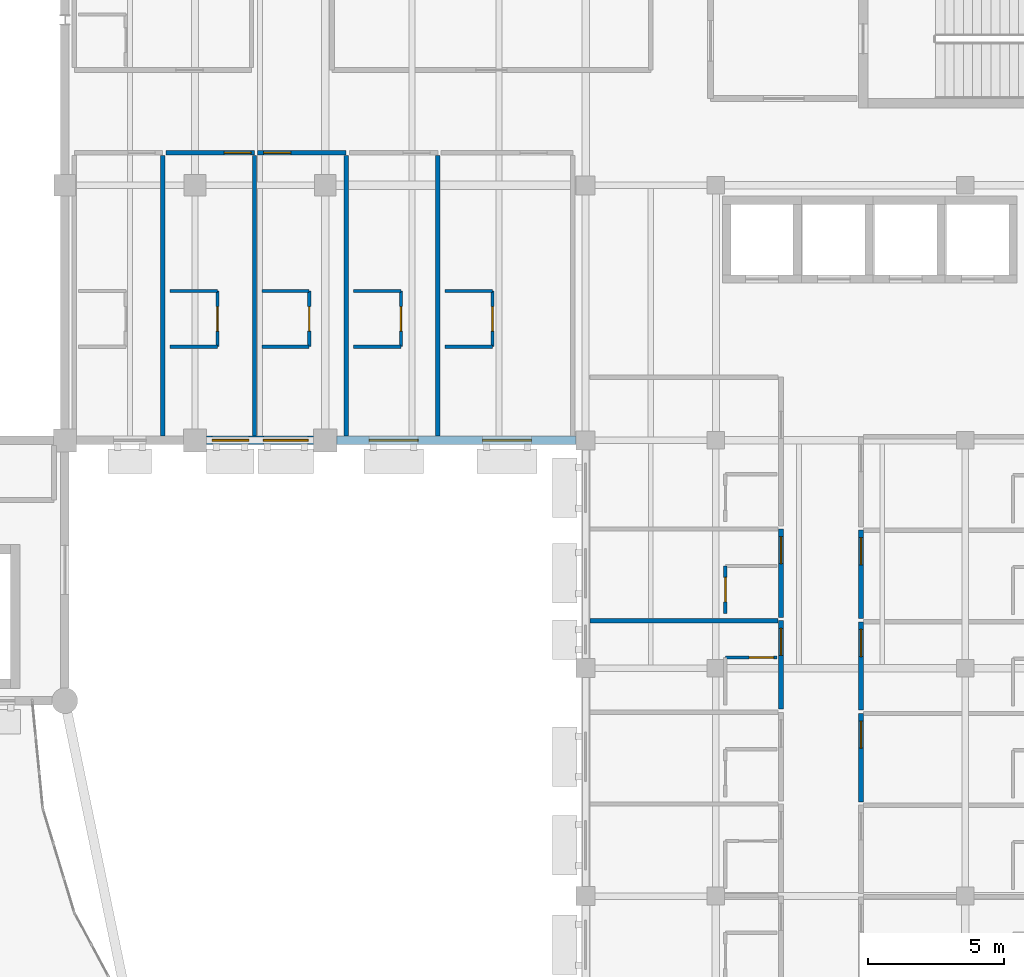
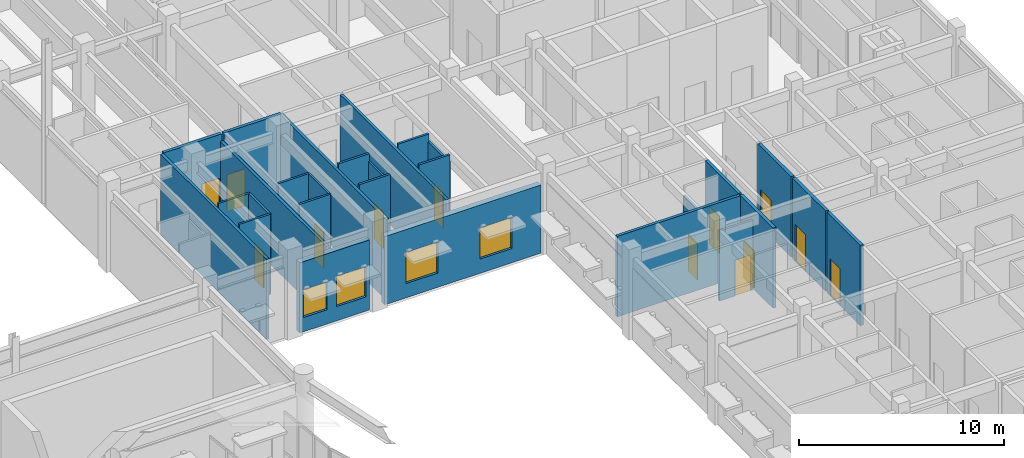
# One storey, part 53 of 68: 28 walls, 13 doors, 4 windows, 17 openings.
"""IFC4 building model written with IfcOpenShell, lengths in metres."""

from ifc_helpers import new_model, si_unit, direction, frame, frame_2d, origin, place, context, subcontext, project, spatial, rectangle, extrude, material, layer, layer_set, type_object, element, fill, save


model = new_model("IFC4")

# Units and contexts
model_context = context("Model", 3, precision=1e-05, world=origin(), true_north=direction((0.0, 1.0)))
body_context = subcontext(model_context, "Body", "Model", "MODEL_VIEW")
ifc_project = project(units=[si_unit("LENGTHUNIT", "METRE"), si_unit("AREAUNIT", "SQUARE_METRE"), si_unit("VOLUMEUNIT", "CUBIC_METRE"), si_unit("PLANEANGLEUNIT", "RADIAN"), si_unit("MASSUNIT", "GRAM", prefix="KILO")], contexts=[model_context])

# Site, building, storey
site_placement = place(None, origin())
site = spatial("IfcSite", under=ifc_project, at=site_placement, CompositionType="ELEMENT")
building_placement = place(site_placement, origin())
building = spatial("IfcBuilding", under=site, at=building_placement, Name="Veldera Park Congress Hotel", CompositionType="ELEMENT")
storey_placement = place(building_placement, frame((0.0, 0.0, 10.800048828125)))
storey = spatial("IfcBuildingStorey", under=building, at=storey_placement, Name="L02", CompositionType="ELEMENT", Elevation=10.800048828125)

# Wall, openings, windows
ifc_material_1 = material(Name="Cross-laminated timber CLT V2M1.1", Category="wood")
ifc_layer_1 = layer(ifc_material_1, 0.320068359375)
ifc_layer_set_1 = layer_set([ifc_layer_1], Name="Cross-laminated timber CLT V2M1.1")
wall_type_1 = type_object("IfcWallType", Name="EW-CLT320", PredefinedType="STANDARD", material=ifc_layer_set_1)
wall_1_placement = place(storey_placement, frame((46.822998046875, 27.0, 0.0), z_axis=(0.0, 0.0, 1.0), x_axis=(1.0, 0.0, 0.0)))
wall_1 = element("IfcWall", 1, at=wall_1_placement, inside=storey, type_object=wall_type_1, Name="L02 Exterior Wall EW3-L02-0196", PredefinedType="STANDARD", context=body_context, shape_type="SweptSolid", body=[
    extrude(rectangle(XDim=3.9541015625, YDim=0.320068359375, at=frame_2d((1.97705078125, 0.0))), origin(), (0.0, 0.0, 1.0), 4.182861328125),
])
opening_1_placement = place(wall_1_placement, frame((0.20849609375, 0.0, 0.85009765625)))
opening_1 = element("IfcOpeningElement", 2, at=opening_1_placement, cuts=wall_1, Name="Opening WIN-1350", PredefinedType="OPENING", context=body_context, shape_type="SweptSolid", body=[
    extrude(rectangle(XDim=1.35009765625, YDim=1.64990234375, at=frame_2d((0.675048828125, 0.824951171875))), frame((0.0, 0.172119140625, 0.0), z_axis=(0.0, -1.0, 0.0), x_axis=(1.0, 0.0, 0.0)), (0.0, 0.0, 1.0), 0.343994140625),
])
opening_2_placement = place(wall_1_placement, frame((2.095458984375, 0.0, 0.85009765625)))
opening_2 = element("IfcOpeningElement", 3, at=opening_2_placement, cuts=wall_1, Name="Opening WIN-1650", PredefinedType="OPENING", context=body_context, shape_type="SweptSolid", body=[
    extrude(rectangle(XDim=1.64990234375, YDim=1.800048828125, at=frame_2d((0.824951171875, 0.89990234375))), frame((0.0, 0.172119140625, 0.0), z_axis=(0.0, -1.0, 0.0), x_axis=(1.0, 0.0, 0.0)), (0.0, 0.0, 1.0), 0.343994140625),
])
ifc_material_2 = material(Name="Low-E Triple Insulating Glass Unit (SHGC 0.22)", Category="glass")
window_type_1 = type_object("IfcWindowType", Name="WIN-1350", PartitioningType="SINGLE_PANEL", PredefinedType="WINDOW", material=ifc_material_2)
window_1_placement = place(opening_1_placement, origin())
window_1 = element("IfcWindow", 4, at=window_1_placement, inside=storey, type_object=window_type_1, Name="L02 Window WIN-1350 394", OverallHeight=1.64990234375, OverallWidth=1.35009765625, PartitioningType="SINGLE_PANEL", PredefinedType="WINDOW", context=body_context, shape_type="SweptSolid", body=[
    extrude(rectangle(XDim=1.35009765625, YDim=1.64990234375, at=frame_2d((0.675048828125, 0.824951171875))), frame((0.0, 0.030029296875, 0.0), z_axis=(0.0, -1.0, 0.0), x_axis=(1.0, 0.0, 0.0)), (0.0, 0.0, 1.0), 0.06005859375),
])
fill(opening_1, window_1)
window_type_2 = type_object("IfcWindowType", Name="WIN-1650", PartitioningType="SINGLE_PANEL", PredefinedType="WINDOW", material=ifc_material_2)
window_2_placement = place(opening_2_placement, origin())
window_2 = element("IfcWindow", 5, at=window_2_placement, inside=storey, type_object=window_type_2, Name="L02 Window WIN-1650 395", OverallHeight=1.800048828125, OverallWidth=1.64990234375, PartitioningType="SINGLE_PANEL", PredefinedType="WINDOW", context=body_context, shape_type="SweptSolid", body=[
    extrude(rectangle(XDim=1.64990234375, YDim=1.800048828125, at=frame_2d((0.824951171875, 0.89990234375))), frame((0.0, 0.030029296875, 0.0), z_axis=(0.0, -1.0, 0.0), x_axis=(1.0, 0.0, 0.0)), (0.0, 0.0, 1.0), 0.06005859375),
])
fill(opening_2, window_2)

wall_2_placement = place(storey_placement, frame((51.623046875, 27.0, 0.0), z_axis=(0.0, 0.0, 1.0), x_axis=(1.0, 0.0, 0.0)))
wall_2 = element("IfcWall", 6, at=wall_2_placement, inside=storey, type_object=wall_type_1, Name="L02 Exterior Wall EW3-L02-0197", PredefinedType="STANDARD", context=body_context, shape_type="SweptSolid", body=[
    extrude(rectangle(XDim=8.828857421875, YDim=0.320068359375, at=frame_2d((4.41455078125, 0.0))), origin(), (0.0, 0.0, 1.0), 4.074951171875),
])
opening_3_placement = place(wall_2_placement, frame((1.197021484375, 0.0, 0.85009765625)))
opening_3 = element("IfcOpeningElement", 7, at=opening_3_placement, cuts=wall_2, Name="Opening WIN-1800", PredefinedType="OPENING", context=body_context, shape_type="SweptSolid", body=[
    extrude(rectangle(XDim=1.800048828125, YDim=1.85009765625, at=frame_2d((0.89990234375, 0.925048828125))), frame((0.0, 0.172119140625, 0.0), z_axis=(0.0, -1.0, 0.0), x_axis=(1.0, 0.0, 0.0)), (0.0, 0.0, 1.0), 0.343994140625),
])
opening_4_placement = place(wall_2_placement, frame((5.376953125, 0.0, 0.85009765625)))
opening_4 = element("IfcOpeningElement", 8, at=opening_4_placement, cuts=wall_2, Name="Opening WIN-1800", PredefinedType="OPENING", context=body_context, shape_type="SweptSolid", body=[
    extrude(rectangle(XDim=1.800048828125, YDim=1.85009765625, at=frame_2d((0.89990234375, 0.925048828125))), frame((0.0, 0.172119140625, 0.0), z_axis=(0.0, -1.0, 0.0), x_axis=(1.0, 0.0, 0.0)), (0.0, 0.0, 1.0), 0.343994140625),
])
window_type_3 = type_object("IfcWindowType", Name="WIN-1800", PartitioningType="SINGLE_PANEL", PredefinedType="WINDOW", material=ifc_material_2)
window_3_placement = place(opening_3_placement, origin())
window_3 = element("IfcWindow", 9, at=window_3_placement, inside=storey, type_object=window_type_3, Name="L02 Window WIN-1800 396", OverallHeight=1.85009765625, OverallWidth=1.800048828125, PartitioningType="SINGLE_PANEL", PredefinedType="WINDOW", context=body_context, shape_type="SweptSolid", body=[
    extrude(rectangle(XDim=1.800048828125, YDim=1.85009765625, at=frame_2d((0.89990234375, 0.925048828125))), frame((0.0, 0.030029296875, 0.0), z_axis=(0.0, -1.0, 0.0), x_axis=(1.0, 0.0, 0.0)), (0.0, 0.0, 1.0), 0.06005859375),
])
fill(opening_3, window_3)
window_4_placement = place(opening_4_placement, origin())
window_4 = element("IfcWindow", 10, at=window_4_placement, inside=storey, type_object=window_type_3, Name="L02 Window WIN-1800 397", OverallHeight=1.85009765625, OverallWidth=1.800048828125, PartitioningType="SINGLE_PANEL", PredefinedType="WINDOW", context=body_context, shape_type="SweptSolid", body=[
    extrude(rectangle(XDim=1.800048828125, YDim=1.85009765625, at=frame_2d((0.89990234375, 0.925048828125))), frame((0.0, 0.030029296875, 0.0), z_axis=(0.0, -1.0, 0.0), x_axis=(1.0, 0.0, 0.0)), (0.0, 0.0, 1.0), 0.06005859375),
])
fill(opening_4, window_4)

# Wall, opening, door
ifc_material_3 = material(Name="Fire-Rated Gypsum Board on Cold-Formed Steel Studs", Category="steel")
ifc_layer_2 = layer(ifc_material_3, 0.1201171875)
ifc_layer_set_2 = layer_set([ifc_layer_2], Name="Fire-Rated Gypsum Board on Cold-Formed Steel Studs")
wall_type_2 = type_object("IfcWallType", Name="IW-BATH120", PredefinedType="PARTITIONING", material=ifc_layer_set_2)
wall_3_placement = place(storey_placement, frame((65.949951171875, 18.989990234375, 0.0), z_axis=(0.0, 0.0, 1.0), x_axis=(1.0, 0.0, 0.0)))
wall_3 = element("IfcWall", 11, at=wall_3_placement, inside=storey, type_object=wall_type_2, Name="L02 Partition Wall IW3-L02-00439", PredefinedType="PARTITIONING", context=body_context, shape_type="SweptSolid", body=[
    extrude(rectangle(XDim=1.900146484375, YDim=0.1201171875, at=frame_2d((0.9501953125, 0.0))), origin(), (0.0, 0.0, 1.0), 4.175048828125),
])
opening_5_placement = place(wall_3_placement, frame((0.8798828125, 0.0, 0.0)))
opening_5 = element("IfcOpeningElement", 12, at=opening_5_placement, cuts=wall_3, Name="Opening ID-BATH090", PredefinedType="OPENING", context=body_context, shape_type="SweptSolid", body=[
    extrude(rectangle(XDim=0.89990234375, YDim=2.14990234375, at=frame_2d((0.449951171875, 1.074951171875))), frame((0.0, 0.072021484375, 0.0), z_axis=(0.0, -1.0, 0.0), x_axis=(1.0, 0.0, 0.0)), (0.0, 0.0, 1.0), 0.14404296875),
])
ifc_material_4 = material(Name="Solid Core White Oak Architectural Door", Category="wood")
door_type_1 = type_object("IfcDoorType", Name="ID-BATH090", OperationType="NOTDEFINED", PredefinedType="DOOR", material=ifc_material_4)
door_1_placement = place(opening_5_placement, origin())
door_1 = element("IfcDoor", 13, at=door_1_placement, inside=storey, type_object=door_type_1, Name="L02 En-suite 019 Door ID3-L02-0177 (DR3-ID3-L02-0177)", OperationType="SINGLE_SWING_LEFT", OverallHeight=2.14990234375, OverallWidth=0.89990234375, PredefinedType="DOOR", context=body_context, shape_type="SweptSolid", body=[
    extrude(rectangle(XDim=0.89990234375, YDim=2.14990234375, at=frame_2d((0.449951171875, 1.074951171875))), frame((0.0, 0.02490234375, 0.0), z_axis=(0.0, -1.0, 0.0), x_axis=(1.0, 0.0, 0.0)), (0.0, 0.0, 1.0), 0.050048828125),
])
fill(opening_5, door_1)

wall_4_placement = place(storey_placement, frame((65.949951171875, 20.6201171875, 0.0), z_axis=(0.0, 0.0, 1.0), x_axis=(0.0, 1.0, 0.0)))
wall_4 = element("IfcWall", 14, at=wall_4_placement, inside=storey, type_object=wall_type_2, Name="L02 Partition Wall IW3-L02-00442", PredefinedType="PARTITIONING", context=body_context, shape_type="SweptSolid", body=[
    extrude(rectangle(XDim=1.75, YDim=0.1201171875, at=frame_2d((0.875, 0.0))), origin(), (0.0, 0.0, 1.0), 4.2548828125),
])
opening_6_placement = place(wall_4_placement, frame((0.425048828125, 0.0, 0.0)))
opening_6 = element("IfcOpeningElement", 15, at=opening_6_placement, cuts=wall_4, Name="Opening ID-BATH090", PredefinedType="OPENING", context=body_context, shape_type="SweptSolid", body=[
    extrude(rectangle(XDim=0.89990234375, YDim=2.14990234375, at=frame_2d((0.449951171875, 1.074951171875))), frame((0.0, 0.072021484375, 0.0), z_axis=(0.0, -1.0, 0.0), x_axis=(1.0, 0.0, 0.0)), (0.0, 0.0, 1.0), 0.14404296875),
])
door_2_placement = place(opening_6_placement, origin())
door_2 = element("IfcDoor", 16, at=door_2_placement, inside=storey, type_object=door_type_1, Name="L02 En-suite 020 Door ID3-L02-0179 (DR3-ID3-L02-0179)", OperationType="SINGLE_SWING_LEFT", OverallHeight=2.14990234375, OverallWidth=0.89990234375, PredefinedType="DOOR", context=body_context, shape_type="SweptSolid", body=[
    extrude(rectangle(XDim=0.89990234375, YDim=2.14990234375, at=frame_2d((0.449951171875, 1.074951171875))), frame((0.0, 0.02490234375, 0.0), z_axis=(0.0, -1.0, 0.0), x_axis=(1.0, 0.0, 0.0)), (0.0, 0.0, 1.0), 0.050048828125),
])
fill(opening_6, door_2)

# Wall
wall_5_placement = place(storey_placement, frame((45.47998046875, 32.5, 0.0), z_axis=(0.0, 0.0, 1.0), x_axis=(1.0, 0.0, 0.0)))
element("IfcWall", 17, at=wall_5_placement, inside=storey, type_object=wall_type_2, Name="L02 Partition Wall IW3-L02-00553", PredefinedType="PARTITIONING", context=body_context, shape_type="SweptSolid", body=[
    extrude(rectangle(XDim=1.75, YDim=0.1201171875, at=frame_2d((0.875, 0.0))), origin(), (0.0, 0.0, 1.0), 4.800048828125),
])

# Wall, opening, door
wall_6_placement = place(storey_placement, frame((47.22998046875, 30.449951171875, 0.0), z_axis=(0.0, 0.0, 1.0), x_axis=(0.0, 1.0, 0.0)))
wall_6 = element("IfcWall", 18, at=wall_6_placement, inside=storey, type_object=wall_type_2, Name="L02 Partition Wall IW3-L02-00554", PredefinedType="PARTITIONING", context=body_context, shape_type="SweptSolid", body=[
    extrude(rectangle(XDim=2.050048828125, YDim=0.1201171875, at=frame_2d((1.02490234375, 0.0))), origin(), (0.0, 0.0, 1.0), 4.800048828125),
])
opening_7_placement = place(wall_6_placement, frame((0.574951171875, 0.0, 0.0)))
opening_7 = element("IfcOpeningElement", 19, at=opening_7_placement, cuts=wall_6, Name="Opening ID-BATH090", PredefinedType="OPENING", context=body_context, shape_type="SweptSolid", body=[
    extrude(rectangle(XDim=0.89990234375, YDim=2.14990234375, at=frame_2d((0.449951171875, 1.074951171875))), frame((0.0, 0.072021484375, 0.0), z_axis=(0.0, -1.0, 0.0), x_axis=(1.0, 0.0, 0.0)), (0.0, 0.0, 1.0), 0.14404296875),
])
door_3_placement = place(opening_7_placement, origin())
door_3 = element("IfcDoor", 20, at=door_3_placement, inside=storey, type_object=door_type_1, Name="L02 En-suite 042 Door ID3-L02-0223 (DR3-ID3-L02-0223)", OperationType="SINGLE_SWING_LEFT", OverallHeight=2.14990234375, OverallWidth=0.89990234375, PredefinedType="DOOR", context=body_context, shape_type="SweptSolid", body=[
    extrude(rectangle(XDim=0.89990234375, YDim=2.14990234375, at=frame_2d((0.449951171875, 1.074951171875))), frame((0.0, 0.02490234375, 0.0), z_axis=(0.0, -1.0, 0.0), x_axis=(1.0, 0.0, 0.0)), (0.0, 0.0, 1.0), 0.050048828125),
])
fill(opening_7, door_3)

# Walls
for number, where, z_axis, x_axis, name in (
    (21, (45.47998046875, 30.449951171875, 0.0), (0.0, 0.0, 1.0), (1.0, 0.0, 0.0), "L02 Partition Wall IW3-L02-00555"),
    (22, (48.860107421875, 32.5, 0.0), (0.0, 0.0, 1.0), (1.0, 0.0, 0.0), "L02 Partition Wall IW3-L02-00558"),
):
    element("IfcWall", number, at=place(storey_placement, frame(where, z_axis=z_axis, x_axis=x_axis)), inside=storey, type_object=wall_type_2, Name=name, PredefinedType="PARTITIONING", context=body_context, shape_type="SweptSolid", body=[
        extrude(rectangle(XDim=1.75, YDim=0.1201171875, at=frame_2d((0.875, 0.0))), origin(), (0.0, 0.0, 1.0), 4.800048828125),
    ])

# Wall, opening, door
wall_7_placement = place(storey_placement, frame((50.610107421875, 30.449951171875, 0.0), z_axis=(0.0, 0.0, 1.0), x_axis=(0.0, 1.0, 0.0)))
wall_7 = element("IfcWall", 23, at=wall_7_placement, inside=storey, type_object=wall_type_2, Name="L02 Partition Wall IW3-L02-00559", PredefinedType="PARTITIONING", context=body_context, shape_type="SweptSolid", body=[
    extrude(rectangle(XDim=2.050048828125, YDim=0.1201171875, at=frame_2d((1.02490234375, 0.0))), origin(), (0.0, 0.0, 1.0), 4.800048828125),
])
opening_8_placement = place(wall_7_placement, frame((0.574951171875, 0.0, 0.0)))
opening_8 = element("IfcOpeningElement", 24, at=opening_8_placement, cuts=wall_7, Name="Opening ID-BATH090", PredefinedType="OPENING", context=body_context, shape_type="SweptSolid", body=[
    extrude(rectangle(XDim=0.89990234375, YDim=2.14990234375, at=frame_2d((0.449951171875, 1.074951171875))), frame((0.0, 0.072021484375, 0.0), z_axis=(0.0, -1.0, 0.0), x_axis=(1.0, 0.0, 0.0)), (0.0, 0.0, 1.0), 0.14404296875),
])
door_4_placement = place(opening_8_placement, origin())
door_4 = element("IfcDoor", 25, at=door_4_placement, inside=storey, type_object=door_type_1, Name="L02 En-suite 043 Door ID3-L02-0225 (DR3-ID3-L02-0225)", OperationType="SINGLE_SWING_LEFT", OverallHeight=2.14990234375, OverallWidth=0.89990234375, PredefinedType="DOOR", context=body_context, shape_type="SweptSolid", body=[
    extrude(rectangle(XDim=0.89990234375, YDim=2.14990234375, at=frame_2d((0.449951171875, 1.074951171875))), frame((0.0, 0.02490234375, 0.0), z_axis=(0.0, -1.0, 0.0), x_axis=(1.0, 0.0, 0.0)), (0.0, 0.0, 1.0), 0.050048828125),
])
fill(opening_8, door_4)

# Walls
for number, where, z_axis, x_axis, name in (
    (26, (48.860107421875, 30.449951171875, 0.0), (0.0, 0.0, 1.0), (1.0, 0.0, 0.0), "L02 Partition Wall IW3-L02-00560"),
    (27, (52.239990234375, 32.5, 0.0), (0.0, 0.0, 1.0), (1.0, 0.0, 0.0), "L02 Partition Wall IW3-L02-00563"),
):
    element("IfcWall", number, at=place(storey_placement, frame(where, z_axis=z_axis, x_axis=x_axis)), inside=storey, type_object=wall_type_2, Name=name, PredefinedType="PARTITIONING", context=body_context, shape_type="SweptSolid", body=[
        extrude(rectangle(XDim=1.75, YDim=0.1201171875, at=frame_2d((0.875, 0.0))), origin(), (0.0, 0.0, 1.0), 4.800048828125),
    ])

# Wall, opening, door
wall_8_placement = place(storey_placement, frame((53.989990234375, 30.449951171875, 0.0), z_axis=(0.0, 0.0, 1.0), x_axis=(0.0, 1.0, 0.0)))
wall_8 = element("IfcWall", 28, at=wall_8_placement, inside=storey, type_object=wall_type_2, Name="L02 Partition Wall IW3-L02-00564", PredefinedType="PARTITIONING", context=body_context, shape_type="SweptSolid", body=[
    extrude(rectangle(XDim=2.050048828125, YDim=0.1201171875, at=frame_2d((1.02490234375, 0.0))), origin(), (0.0, 0.0, 1.0), 4.344970703125),
])
opening_9_placement = place(wall_8_placement, frame((0.574951171875, 0.0, 0.0)))
opening_9 = element("IfcOpeningElement", 29, at=opening_9_placement, cuts=wall_8, Name="Opening ID-BATH090", PredefinedType="OPENING", context=body_context, shape_type="SweptSolid", body=[
    extrude(rectangle(XDim=0.89990234375, YDim=2.14990234375, at=frame_2d((0.449951171875, 1.074951171875))), frame((0.0, 0.072021484375, 0.0), z_axis=(0.0, -1.0, 0.0), x_axis=(1.0, 0.0, 0.0)), (0.0, 0.0, 1.0), 0.14404296875),
])
door_5_placement = place(opening_9_placement, origin())
door_5 = element("IfcDoor", 30, at=door_5_placement, inside=storey, type_object=door_type_1, Name="L02 En-suite 044 Door ID3-L02-0227 (DR3-ID3-L02-0227)", OperationType="SINGLE_SWING_LEFT", OverallHeight=2.14990234375, OverallWidth=0.89990234375, PredefinedType="DOOR", context=body_context, shape_type="SweptSolid", body=[
    extrude(rectangle(XDim=0.89990234375, YDim=2.14990234375, at=frame_2d((0.449951171875, 1.074951171875))), frame((0.0, 0.02490234375, 0.0), z_axis=(0.0, -1.0, 0.0), x_axis=(1.0, 0.0, 0.0)), (0.0, 0.0, 1.0), 0.050048828125),
])
fill(opening_9, door_5)

# Walls
for number, where, z_axis, x_axis, name in (
    (31, (52.239990234375, 30.449951171875, 0.0), (0.0, 0.0, 1.0), (1.0, 0.0, 0.0), "L02 Partition Wall IW3-L02-00565"),
    (32, (55.6201171875, 32.5, 0.0), (0.0, 0.0, 1.0), (1.0, 0.0, 0.0), "L02 Partition Wall IW3-L02-00568"),
):
    element("IfcWall", number, at=place(storey_placement, frame(where, z_axis=z_axis, x_axis=x_axis)), inside=storey, type_object=wall_type_2, Name=name, PredefinedType="PARTITIONING", context=body_context, shape_type="SweptSolid", body=[
        extrude(rectangle(XDim=1.75, YDim=0.1201171875, at=frame_2d((0.875, 0.0))), origin(), (0.0, 0.0, 1.0), 4.800048828125),
    ])

# Wall, opening, door
wall_9_placement = place(storey_placement, frame((57.3701171875, 30.449951171875, 0.0), z_axis=(0.0, 0.0, 1.0), x_axis=(0.0, 1.0, 0.0)))
wall_9 = element("IfcWall", 33, at=wall_9_placement, inside=storey, type_object=wall_type_2, Name="L02 Partition Wall IW3-L02-00569", PredefinedType="PARTITIONING", context=body_context, shape_type="SweptSolid", body=[
    extrude(rectangle(XDim=2.050048828125, YDim=0.1201171875, at=frame_2d((1.02490234375, 0.0))), origin(), (0.0, 0.0, 1.0), 4.344970703125),
])
opening_10_placement = place(wall_9_placement, frame((0.574951171875, 0.0, 0.0)))
opening_10 = element("IfcOpeningElement", 34, at=opening_10_placement, cuts=wall_9, Name="Opening ID-BATH090", PredefinedType="OPENING", context=body_context, shape_type="SweptSolid", body=[
    extrude(rectangle(XDim=0.89990234375, YDim=2.14990234375, at=frame_2d((0.449951171875, 1.074951171875))), frame((0.0, 0.072021484375, 0.0), z_axis=(0.0, -1.0, 0.0), x_axis=(1.0, 0.0, 0.0)), (0.0, 0.0, 1.0), 0.14404296875),
])
door_6_placement = place(opening_10_placement, origin())
door_6 = element("IfcDoor", 35, at=door_6_placement, inside=storey, type_object=door_type_1, Name="L02 En-suite 045 Door ID3-L02-0229 (DR3-ID3-L02-0229)", OperationType="SINGLE_SWING_LEFT", OverallHeight=2.14990234375, OverallWidth=0.89990234375, PredefinedType="DOOR", context=body_context, shape_type="SweptSolid", body=[
    extrude(rectangle(XDim=0.89990234375, YDim=2.14990234375, at=frame_2d((0.449951171875, 1.074951171875))), frame((0.0, 0.02490234375, 0.0), z_axis=(0.0, -1.0, 0.0), x_axis=(1.0, 0.0, 0.0)), (0.0, 0.0, 1.0), 0.050048828125),
])
fill(opening_10, door_6)

# Wall
wall_10_placement = place(storey_placement, frame((55.6201171875, 30.449951171875, 0.0), z_axis=(0.0, 0.0, 1.0), x_axis=(1.0, 0.0, 0.0)))
element("IfcWall", 36, at=wall_10_placement, inside=storey, type_object=wall_type_2, Name="L02 Partition Wall IW3-L02-00570", PredefinedType="PARTITIONING", context=body_context, shape_type="SweptSolid", body=[
    extrude(rectangle(XDim=1.75, YDim=0.1201171875, at=frame_2d((0.875, 0.0))), origin(), (0.0, 0.0, 1.0), 4.800048828125),
])

# Wall, opening, door
ifc_layer_3 = layer(ifc_material_3, 0.179931640625)
ifc_layer_set_3 = layer_set([ifc_layer_3], Name="Fire-Rated Gypsum Board on Cold-Formed Steel Studs")
wall_type_3 = type_object("IfcWallType", Name="IW-CORR180", PredefinedType="PARTITIONING", material=ifc_layer_set_3)
wall_11_placement = place(storey_placement, frame((68.0, 17.090087890625, 0.0), z_axis=(0.0, 0.0, 1.0), x_axis=(0.0, 1.0, 0.0)))
wall_11 = element("IfcWall", 37, at=wall_11_placement, inside=storey, type_object=wall_type_3, Name="L02 Corridor Wall IW3-L02-00436", PredefinedType="PARTITIONING", context=body_context, shape_type="SweptSolid", body=[
    extrude(rectangle(XDim=3.260009765625, YDim=0.179931640625, at=frame_2d((1.6298828125, 0.0))), origin(), (0.0, 0.0, 1.0), 4.800048828125),
])
opening_11_placement = place(wall_11_placement, frame((1.97998046875, 0.0, 0.0)))
opening_11 = element("IfcOpeningElement", 38, at=opening_11_placement, cuts=wall_11, Name="Opening ID-UNIT100", PredefinedType="OPENING", context=body_context, shape_type="SweptSolid", body=[
    extrude(rectangle(XDim=1.0, YDim=2.199951171875, at=frame_2d((0.5, 1.10009765625))), frame((0.0, 0.10205078125, 0.0), z_axis=(0.0, -1.0, 0.0), x_axis=(1.0, 0.0, 0.0)), (0.0, 0.0, 1.0), 0.203857421875),
])
door_type_2 = type_object("IfcDoorType", Name="ID-UNIT100", OperationType="NOTDEFINED", PredefinedType="DOOR", material=ifc_material_4)
door_7_placement = place(opening_11_placement, origin())
door_7 = element("IfcDoor", 39, at=door_7_placement, inside=storey, type_object=door_type_2, Name="L02 Guestroom 019 Entry Door (DR3-UD3-L02-019)", OperationType="SINGLE_SWING_RIGHT", OverallHeight=2.199951171875, OverallWidth=1.0, PredefinedType="DOOR", context=body_context, shape_type="SweptSolid", body=[
    extrude(rectangle(XDim=1.0, YDim=2.199951171875, at=frame_2d((0.5, 1.10009765625))), frame((0.0, 0.02490234375, 0.0), z_axis=(0.0, -1.0, 0.0), x_axis=(1.0, 0.0, 0.0)), (0.0, 0.0, 1.0), 0.050048828125),
])
fill(opening_11, door_7)

wall_12_placement = place(storey_placement, frame((68.0, 20.469970703125, 0.0), z_axis=(0.0, 0.0, 1.0), x_axis=(0.0, 1.0, 0.0)))
wall_12 = element("IfcWall", 40, at=wall_12_placement, inside=storey, type_object=wall_type_3, Name="L02 Corridor Wall IW3-L02-00440", PredefinedType="PARTITIONING", context=body_context, shape_type="SweptSolid", body=[
    extrude(rectangle(XDim=3.260009765625, YDim=0.179931640625, at=frame_2d((1.6298828125, 0.0))), origin(), (0.0, 0.0, 1.0), 4.800048828125),
])
opening_12_placement = place(wall_12_placement, frame((1.97998046875, 0.0, 0.0)))
opening_12 = element("IfcOpeningElement", 41, at=opening_12_placement, cuts=wall_12, Name="Opening ID-UNIT100", PredefinedType="OPENING", context=body_context, shape_type="SweptSolid", body=[
    extrude(rectangle(XDim=1.0, YDim=2.199951171875, at=frame_2d((0.5, 1.10009765625))), frame((0.0, 0.10205078125, 0.0), z_axis=(0.0, -1.0, 0.0), x_axis=(1.0, 0.0, 0.0)), (0.0, 0.0, 1.0), 0.203857421875),
])
door_8_placement = place(opening_12_placement, origin())
door_8 = element("IfcDoor", 42, at=door_8_placement, inside=storey, type_object=door_type_2, Name="L02 Guestroom 020 Entry Door (DR3-UD3-L02-020)", OperationType="SINGLE_SWING_RIGHT", OverallHeight=2.199951171875, OverallWidth=1.0, PredefinedType="DOOR", context=body_context, shape_type="SweptSolid", body=[
    extrude(rectangle(XDim=1.0, YDim=2.199951171875, at=frame_2d((0.5, 1.10009765625))), frame((0.0, 0.02490234375, 0.0), z_axis=(0.0, -1.0, 0.0), x_axis=(1.0, 0.0, 0.0)), (0.0, 0.0, 1.0), 0.050048828125),
])
fill(opening_12, door_8)

wall_13_placement = place(storey_placement, frame((70.949951171875, 16.929931640625, 0.0), z_axis=(0.0, 0.0, 1.0), x_axis=(0.0, -1.0, 0.0)))
wall_13 = element("IfcWall", 43, at=wall_13_placement, inside=storey, type_object=wall_type_3, Name="L02 Corridor Wall IW3-L02-00525", PredefinedType="PARTITIONING", context=body_context, shape_type="SweptSolid", body=[
    extrude(rectangle(XDim=3.260009765625, YDim=0.179931640625, at=frame_2d((1.6298828125, 0.0))), origin(), (0.0, 0.0, 1.0), 4.800048828125),
])
opening_13_placement = place(wall_13_placement, frame((0.280029296875, 0.0, 0.0)))
opening_13 = element("IfcOpeningElement", 44, at=opening_13_placement, cuts=wall_13, Name="Opening ID-UNIT100", PredefinedType="OPENING", context=body_context, shape_type="SweptSolid", body=[
    extrude(rectangle(XDim=1.0, YDim=2.199951171875, at=frame_2d((0.5, 1.10009765625))), frame((0.0, 0.10205078125, 0.0), z_axis=(0.0, -1.0, 0.0), x_axis=(1.0, 0.0, 0.0)), (0.0, 0.0, 1.0), 0.203857421875),
])
door_9_placement = place(opening_13_placement, origin())
door_9 = element("IfcDoor", 45, at=door_9_placement, inside=storey, type_object=door_type_2, Name="L02 Guestroom 037 Entry Door (DR3-UD3-L02-037)", OperationType="SINGLE_SWING_RIGHT", OverallHeight=2.199951171875, OverallWidth=1.0, PredefinedType="DOOR", context=body_context, shape_type="SweptSolid", body=[
    extrude(rectangle(XDim=1.0, YDim=2.199951171875, at=frame_2d((0.5, 1.10009765625))), frame((0.0, 0.02490234375, 0.0), z_axis=(0.0, -1.0, 0.0), x_axis=(1.0, 0.0, 0.0)), (0.0, 0.0, 1.0), 0.050048828125),
])
fill(opening_13, door_9)

wall_14_placement = place(storey_placement, frame((70.949951171875, 20.31005859375, 0.0), z_axis=(0.0, 0.0, 1.0), x_axis=(0.0, -1.0, 0.0)))
wall_14 = element("IfcWall", 46, at=wall_14_placement, inside=storey, type_object=wall_type_3, Name="L02 Corridor Wall IW3-L02-00530", PredefinedType="PARTITIONING", context=body_context, shape_type="SweptSolid", body=[
    extrude(rectangle(XDim=3.260009765625, YDim=0.179931640625, at=frame_2d((1.6298828125, 0.0))), origin(), (0.0, 0.0, 1.0), 4.800048828125),
])
opening_14_placement = place(wall_14_placement, frame((0.280029296875, 0.0, 0.0)))
opening_14 = element("IfcOpeningElement", 47, at=opening_14_placement, cuts=wall_14, Name="Opening ID-UNIT100", PredefinedType="OPENING", context=body_context, shape_type="SweptSolid", body=[
    extrude(rectangle(XDim=1.0, YDim=2.199951171875, at=frame_2d((0.5, 1.10009765625))), frame((0.0, 0.10205078125, 0.0), z_axis=(0.0, -1.0, 0.0), x_axis=(1.0, 0.0, 0.0)), (0.0, 0.0, 1.0), 0.203857421875),
])
door_10_placement = place(opening_14_placement, origin())
door_10 = element("IfcDoor", 48, at=door_10_placement, inside=storey, type_object=door_type_2, Name="L02 Guestroom 038 Entry Door (DR3-UD3-L02-038)", OperationType="SINGLE_SWING_RIGHT", OverallHeight=2.199951171875, OverallWidth=1.0, PredefinedType="DOOR", context=body_context, shape_type="SweptSolid", body=[
    extrude(rectangle(XDim=1.0, YDim=2.199951171875, at=frame_2d((0.5, 1.10009765625))), frame((0.0, 0.02490234375, 0.0), z_axis=(0.0, -1.0, 0.0), x_axis=(1.0, 0.0, 0.0)), (0.0, 0.0, 1.0), 0.050048828125),
])
fill(opening_14, door_10)

wall_15_placement = place(storey_placement, frame((70.949951171875, 23.68994140625, 0.0), z_axis=(0.0, 0.0, 1.0), x_axis=(0.0, -1.0, 0.0)))
wall_15 = element("IfcWall", 49, at=wall_15_placement, inside=storey, type_object=wall_type_3, Name="L02 Corridor Wall IW3-L02-00535", PredefinedType="PARTITIONING", context=body_context, shape_type="SweptSolid", body=[
    extrude(rectangle(XDim=3.260009765625, YDim=0.179931640625, at=frame_2d((1.6298828125, 0.0))), origin(), (0.0, 0.0, 1.0), 4.800048828125),
])
opening_15_placement = place(wall_15_placement, frame((0.280029296875, 0.0, 0.0)))
opening_15 = element("IfcOpeningElement", 50, at=opening_15_placement, cuts=wall_15, Name="Opening ID-UNIT100", PredefinedType="OPENING", context=body_context, shape_type="SweptSolid", body=[
    extrude(rectangle(XDim=1.0, YDim=2.199951171875, at=frame_2d((0.5, 1.10009765625))), frame((0.0, 0.10205078125, 0.0), z_axis=(0.0, -1.0, 0.0), x_axis=(1.0, 0.0, 0.0)), (0.0, 0.0, 1.0), 0.203857421875),
])
door_11_placement = place(opening_15_placement, origin())
door_11 = element("IfcDoor", 51, at=door_11_placement, inside=storey, type_object=door_type_2, Name="L02 Guestroom 039 Entry Door (DR3-UD3-L02-039)", OperationType="SINGLE_SWING_RIGHT", OverallHeight=2.199951171875, OverallWidth=1.0, PredefinedType="DOOR", context=body_context, shape_type="SweptSolid", body=[
    extrude(rectangle(XDim=1.0, YDim=2.199951171875, at=frame_2d((0.5, 1.10009765625))), frame((0.0, 0.02490234375, 0.0), z_axis=(0.0, -1.0, 0.0), x_axis=(1.0, 0.0, 0.0)), (0.0, 0.0, 1.0), 0.050048828125),
])
fill(opening_15, door_11)

wall_16_placement = place(storey_placement, frame((48.590087890625, 37.60009765625, 0.0), z_axis=(0.0, 0.0, 1.0), x_axis=(-1.0, 0.0, 0.0)))
wall_16 = element("IfcWall", 52, at=wall_16_placement, inside=storey, type_object=wall_type_3, Name="L02 Corridor Wall IW3-L02-00551", PredefinedType="PARTITIONING", context=body_context, shape_type="SweptSolid", body=[
    extrude(rectangle(XDim=3.260009765625, YDim=0.179931640625, at=frame_2d((1.6298828125, 0.0))), origin(), (0.0, 0.0, 1.0), 4.800048828125),
])
opening_16_placement = place(wall_16_placement, frame((0.1201171875, 0.0, 0.0)))
opening_16 = element("IfcOpeningElement", 53, at=opening_16_placement, cuts=wall_16, Name="Opening ID-UNIT100", PredefinedType="OPENING", context=body_context, shape_type="SweptSolid", body=[
    extrude(rectangle(XDim=1.0, YDim=2.199951171875, at=frame_2d((0.5, 1.10009765625))), frame((0.0, 0.10205078125, 0.0), z_axis=(0.0, -1.0, 0.0), x_axis=(1.0, 0.0, 0.0)), (0.0, 0.0, 1.0), 0.203857421875),
])
door_12_placement = place(opening_16_placement, frame((1.0, 0.0, 0.0), z_axis=(0.0, 0.0, 1.0), x_axis=(-1.0, 0.0, 0.0)))
door_12 = element("IfcDoor", 54, at=door_12_placement, inside=storey, type_object=door_type_2, Name="L02 Guestroom 042 Entry Door (DR3-UD3-L02-042)", OperationType="SINGLE_SWING_RIGHT", OverallHeight=2.199951171875, OverallWidth=1.0, PredefinedType="DOOR", context=body_context, shape_type="SweptSolid", body=[
    extrude(rectangle(XDim=1.0, YDim=2.199951171875, at=frame_2d((0.5, 1.10009765625))), frame((0.0, 0.02490234375, 0.0), z_axis=(0.0, -1.0, 0.0), x_axis=(1.0, 0.0, 0.0)), (0.0, 0.0, 1.0), 0.050048828125),
])
fill(opening_16, door_12)

wall_17_placement = place(storey_placement, frame((51.969970703125, 37.60009765625, 0.0), z_axis=(0.0, 0.0, 1.0), x_axis=(-1.0, 0.0, 0.0)))
wall_17 = element("IfcWall", 55, at=wall_17_placement, inside=storey, type_object=wall_type_3, Name="L02 Corridor Wall IW3-L02-00556", PredefinedType="PARTITIONING", context=body_context, shape_type="SweptSolid", body=[
    extrude(rectangle(XDim=3.260009765625, YDim=0.179931640625, at=frame_2d((1.6298828125, 0.0))), origin(), (0.0, 0.0, 1.0), 4.800048828125),
])
opening_17_placement = place(wall_17_placement, frame((2.0390625, 0.0, 0.0)))
opening_17 = element("IfcOpeningElement", 56, at=opening_17_placement, cuts=wall_17, Name="Opening ID-UNIT100", PredefinedType="OPENING", context=body_context, shape_type="SweptSolid", body=[
    extrude(rectangle(XDim=1.0, YDim=2.199951171875, at=frame_2d((0.5, 1.10009765625))), frame((0.0, 0.10205078125, 0.0), z_axis=(0.0, -1.0, 0.0), x_axis=(1.0, 0.0, 0.0)), (0.0, 0.0, 1.0), 0.203857421875),
])
door_13_placement = place(opening_17_placement, frame((1.0, 0.0, 0.0), z_axis=(0.0, 0.0, 1.0), x_axis=(-1.0, 0.0, 0.0)))
door_13 = element("IfcDoor", 57, at=door_13_placement, inside=storey, type_object=door_type_2, Name="L02 Guestroom 043 Entry Door (DR3-UD3-L02-043)", OperationType="SINGLE_SWING_RIGHT", OverallHeight=2.199951171875, OverallWidth=1.0, PredefinedType="DOOR", context=body_context, shape_type="SweptSolid", body=[
    extrude(rectangle(XDim=1.0, YDim=2.199951171875, at=frame_2d((0.5, 1.10009765625))), frame((0.0, 0.02490234375, 0.0), z_axis=(0.0, -1.0, 0.0), x_axis=(1.0, 0.0, 0.0)), (0.0, 0.0, 1.0), 0.050048828125),
])
fill(opening_17, door_13)

# Walls
ifc_layer_4 = layer(ifc_material_1, 0.159912109375)
ifc_layer_set_4 = layer_set([ifc_layer_4], Name="Cross-laminated timber CLT V2M1.1")
wall_type_4 = type_object("IfcWallType", Name="IW-UNIT160", PredefinedType="PARTITIONING", material=ifc_layer_set_4)
wall_18_placement = place(storey_placement, frame((60.9599609375, 20.35009765625, 0.0), z_axis=(0.0, 0.0, 1.0), x_axis=(1.0, 0.0, 0.0)))
element("IfcWall", 58, at=wall_18_placement, inside=storey, type_object=wall_type_4, Name="L02 Partition Wall IW3-L02-00437", PredefinedType="PARTITIONING", context=body_context, shape_type="SweptSolid", body=[
    extrude(rectangle(XDim=6.93994140625, YDim=0.159912109375, at=frame_2d((3.469970703125, 0.0))), origin(), (0.0, 0.0, 1.0), 4.800048828125),
])
wall_19_placement = place(storey_placement, frame((45.2099609375, 27.159912109375, 0.0), z_axis=(0.0, 0.0, 1.0), x_axis=(0.0, 1.0, 0.0)))
element("IfcWall", 59, at=wall_19_placement, inside=storey, type_object=wall_type_4, Name="L02 Partition Wall IW3-L02-00547", PredefinedType="PARTITIONING", context=body_context, shape_type="SweptSolid", body=[
    extrude(rectangle(XDim=10.340087890625, YDim=0.159912109375, at=frame_2d((5.169921875, 0.0))), origin(), (0.0, 0.0, 1.0), 4.800048828125),
])
wall_20_placement = place(storey_placement, frame((48.590087890625, 27.159912109375, 0.0), z_axis=(0.0, 0.0, 1.0), x_axis=(0.0, 1.0, 0.0)))
element("IfcWall", 60, at=wall_20_placement, inside=storey, type_object=wall_type_4, Name="L02 Partition Wall IW3-L02-00552", PredefinedType="PARTITIONING", context=body_context, shape_type="SweptSolid", body=[
    extrude(rectangle(XDim=10.340087890625, YDim=0.159912109375, at=frame_2d((5.169921875, 0.0))), origin(), (0.0, 0.0, 1.0), 4.3779296875),
])
for number, where, z_axis, x_axis, name in (
    (61, (51.969970703125, 27.159912109375, 0.0), (0.0, 0.0, 1.0), (0.0, 1.0, 0.0), "L02 Partition Wall IW3-L02-00557"),
    (62, (55.35009765625, 27.159912109375, 0.0), (0.0, 0.0, 1.0), (0.0, 1.0, 0.0), "L02 Partition Wall IW3-L02-00562"),
):
    element("IfcWall", number, at=place(storey_placement, frame(where, z_axis=z_axis, x_axis=x_axis)), inside=storey, type_object=wall_type_4, Name=name, PredefinedType="PARTITIONING", context=body_context, shape_type="SweptSolid", body=[
        extrude(rectangle(XDim=10.340087890625, YDim=0.159912109375, at=frame_2d((5.169921875, 0.0))), origin(), (0.0, 0.0, 1.0), 4.800048828125),
    ])

save(model, "model.ifc")
